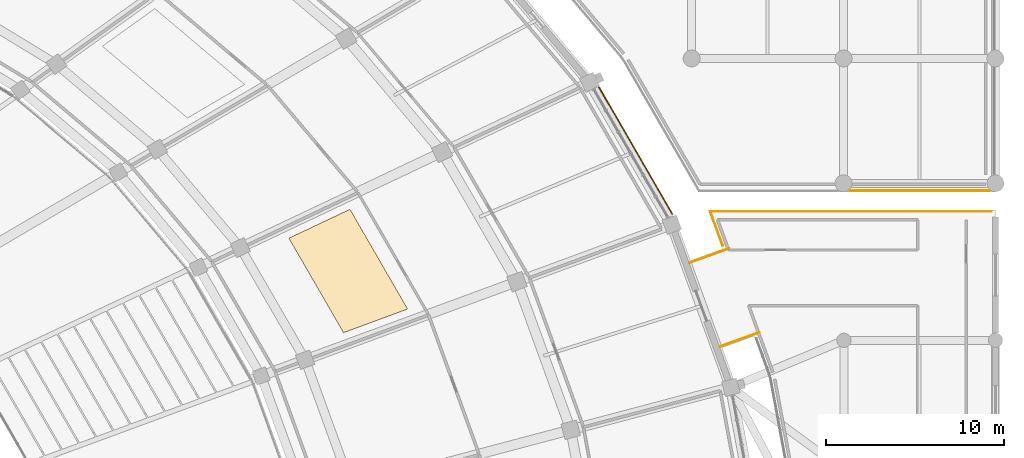
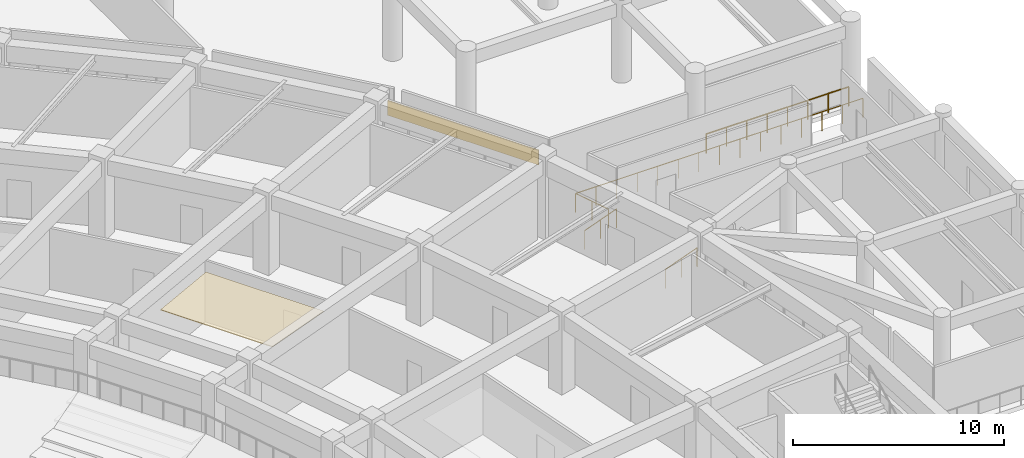
# One storey, part 142 of 152: 4 railings, 2 coverings.
"""IFC4 building model written with IfcOpenShell, lengths in metres."""

import ifcopenshell
import ifcopenshell.guid

model = None  # the IFC model being written
_history = None  # IfcOwnerHistory: only IFC2X3 demands one
_inside = {}  # id of a spatial element -> (the spatial element, [elements in it])
_under = {}  # id of a project, library or spatial element -> (it, [spatial elements below it])
_declared = {}  # id of a project -> (the project, [libraries it declares])
_typed = {}  # id of a type object -> (the type object, [elements of that type])
_made_of = {}  # id of a material, layer set ... -> (it, [elements and type objects made of it])


def new_model(schema):
    """Start an empty IFC model of exactly this schema.

    Asked for "IFC4X3", IfcOpenShell would pick the latest addendum, in which some entities
    have other attributes; the version numbers below select the first issue.
    IFC2X3 requires an IfcOwnerHistory on every rooted entity: one is made here for all.
    """
    global model, _history
    if schema == "IFC4X3":
        model = ifcopenshell.file(schema_version=(4, 3, 0, 0))
    else:
        model = ifcopenshell.file(schema=schema)
    _inside.clear()
    _under.clear()
    _declared.clear()
    _typed.clear()
    _made_of.clear()
    _history = None
    if model.schema == "IFC2X3":
        org = make("IfcOrganization", Name="unknown")
        user = make(
            "IfcPersonAndOrganization",
            ThePerson=make("IfcPerson", FamilyName="unknown"),
            TheOrganization=org,
        )
        app = make(
            "IfcApplication",
            ApplicationDeveloper=org,
            Version="unknown",
            ApplicationFullName="unknown",
            ApplicationIdentifier="unknown",
        )
        _history = make(
            "IfcOwnerHistory",
            OwningUser=user,
            OwningApplication=app,
            ChangeAction="ADDED",
            CreationDate=0,
        )
    return model


def make(cls, **values):
    """One entity of the class cls with the attributes given. An attribute that is None is left unset."""
    return model.create_entity(
        cls, **{name: value for name, value in values.items() if value is not None}
    )


def rooted(cls, **values):
    """An entity with a GlobalId (a new one), such as an element, a storey or a relation."""
    return make(cls, GlobalId=ifcopenshell.guid.new(), OwnerHistory=_history, **values)


def si_unit(unit_type, name, prefix=None):
    """IfcSIUnit, for example si_unit("LENGTHUNIT", "METRE", prefix="MILLI")."""
    return make("IfcSIUnit", UnitType=unit_type, Prefix=prefix, Name=name)


def assignment(units):
    """IfcUnitAssignment: the units of a project."""
    return None if units is None else make("IfcUnitAssignment", Units=units)


def point(xyz):
    """IfcCartesianPoint."""
    return None if xyz is None else make("IfcCartesianPoint", Coordinates=xyz)


def direction(xyz):
    """IfcDirection."""
    return None if xyz is None else make("IfcDirection", DirectionRatios=xyz)


def frame(location, z_axis=None, x_axis=None):
    """IfcAxis2Placement3D, a coordinate frame: its origin and axes. An axis left out is left unset."""
    return make(
        "IfcAxis2Placement3D",
        Location=point(location),
        Axis=direction(z_axis),
        RefDirection=direction(x_axis),
    )


def frame_2d(location, x_axis=None):
    """IfcAxis2Placement2D, a coordinate frame in the plane: its origin and x axis."""
    return make(
        "IfcAxis2Placement2D", Location=point(location), RefDirection=direction(x_axis)
    )


def origin():
    """The frame at (0, 0, 0) with its axes left unset."""
    return frame((0.0, 0.0, 0.0))


def origin_2d():
    """The frame at (0, 0) in the plane with its x axis left unset."""
    return frame_2d((0.0, 0.0))


def place(relative_to, where):
    """IfcLocalPlacement: puts the frame where relative to a parent placement (None: the world)."""
    return make(
        "IfcLocalPlacement", PlacementRelTo=relative_to, RelativePlacement=where
    )


def context(
    kind, dimensions, precision=None, world=None, true_north=None, identifier=None
):
    """IfcGeometricRepresentationContext, for example the 3D "Model" context."""
    return make(
        "IfcGeometricRepresentationContext",
        ContextIdentifier=identifier,
        ContextType=kind,
        CoordinateSpaceDimension=dimensions,
        Precision=precision,
        WorldCoordinateSystem=world,
        TrueNorth=true_north,
    )


def subcontext(parent, identifier, kind, view, scale=None):
    """IfcGeometricRepresentationSubContext, for example "Body" below "Model"."""
    return make(
        "IfcGeometricRepresentationSubContext",
        ContextIdentifier=identifier,
        ContextType=kind,
        ParentContext=parent,
        TargetScale=scale,
        TargetView=view,
    )


def project(units=None, contexts=None):
    """IfcProject with its units and contexts."""
    return rooted(
        "IfcProject",
        Name="project",
        RepresentationContexts=contexts,
        UnitsInContext=assignment(units),
    )


def spatial(cls, under=None, at=None, **own):
    """A site, building, storey or space (cls), placed at a placement, below another one or the project."""
    s = rooted(cls, ObjectPlacement=at, **own)
    if under is not None:
        _under.setdefault(under.id(), (under, []))[1].append(s)
    return s


def polyline(points):
    """IfcPolyline through the points."""
    return make("IfcPolyline", Points=[point(p) for p in points])


def profile(cls, at=None, kind="AREA", **sizes):
    """A parametric profile (cls). Its sizes go by their IFC names, for example OverallWidth=200.0."""
    return make(cls, ProfileType=kind, Position=at, **sizes)


def rectangle(**sizes):
    """IfcRectangleProfileDef."""
    return profile("IfcRectangleProfileDef", **sizes)


def circle(**sizes):
    """IfcCircleProfileDef."""
    return profile("IfcCircleProfileDef", **sizes)


def outline(outer, holes=None, kind="AREA"):
    """IfcArbitraryClosedProfileDef: a profile drawn as a closed curve; with holes, ...WithVoids."""
    if holes is None:
        return make("IfcArbitraryClosedProfileDef", ProfileType=kind, OuterCurve=outer)
    return make(
        "IfcArbitraryProfileDefWithVoids",
        ProfileType=kind,
        OuterCurve=outer,
        InnerCurves=holes,
    )


def extrude(swept, where, along, depth):
    """IfcExtrudedAreaSolid: the profile swept, set in the frame where, extruded along a direction by depth."""
    return make(
        "IfcExtrudedAreaSolid",
        SweptArea=swept,
        Position=where,
        ExtrudedDirection=direction(along),
        Depth=depth,
    )


def shape(context_of_items, identifier, shape_type, items):
    """IfcShapeRepresentation: the items that make up one representation, for example the "Body"."""
    return make(
        "IfcShapeRepresentation",
        ContextOfItems=context_of_items,
        RepresentationIdentifier=identifier,
        RepresentationType=shape_type,
        Items=items,
    )


def material(Name=None, Category=None):
    """IfcMaterial."""
    return make("IfcMaterial", Name=Name, Category=Category)


def layer(
    of_material, thickness, ventilated=None, Name=None, Category=None, Priority=None
):
    """IfcMaterialLayer: one layer of a wall or slab, of a material (None: an air gap)."""
    return make(
        "IfcMaterialLayer",
        Material=of_material,
        LayerThickness=thickness,
        IsVentilated=ventilated,
        Name=Name,
        Category=Category,
        Priority=Priority,
    )


def layer_set(layers, Name=None):
    """IfcMaterialLayerSet."""
    return make("IfcMaterialLayerSet", MaterialLayers=layers, LayerSetName=Name)


def made_of(thing, what):
    """Note that an element or type object is made of a material, layer set ...; save() writes the relation."""
    if what is not None:
        _made_of.setdefault(what.id(), (what, []))[1].append(thing)
    return thing


def type_object(cls, material=None, **own):
    """A type object (cls), such as IfcWallType, which elements share."""
    return made_of(rooted(cls, **own), material)


def element(
    cls,
    number,
    at=None,
    inside=None,
    cuts=None,
    type_object=None,
    material=None,
    context=None,
    identifier="Body",
    shape_type=None,
    held_by="IfcProductDefinitionShape",
    body=None,
    shapes=None,
    **own,
):
    """One element of the class cls, such as IfcWall. Its Tag is "e" and its number.

    at: its placement. inside: the storey or other place that contains it. cuts: it is an
    opening in that element (IfcRelVoidsElement). A single representation is given by context,
    identifier, shape_type and body (its items); several are given by shapes. held_by: the class
    of the entity that holds the representations. save() writes the other relations.
    """
    e = rooted(cls, Tag="e%d" % number, ObjectPlacement=at, **own)
    if body is not None:
        shapes = [shape(context, identifier, shape_type, body)]
    if shapes is not None:
        e.Representation = make(held_by, Representations=shapes)
    if inside is not None:
        _inside.setdefault(inside.id(), (inside, []))[1].append(e)
    if cuts is not None:
        rooted(
            "IfcRelVoidsElement", RelatingBuildingElement=cuts, RelatedOpeningElement=e
        )
    if type_object is not None:
        _typed.setdefault(type_object.id(), (type_object, []))[1].append(e)
    return made_of(e, material)


def aggregate(whole, parts):
    """IfcRelAggregates: a whole, such as a stair, and the parts it consists of."""
    return rooted("IfcRelAggregates", RelatingObject=whole, RelatedObjects=parts)


def save(model, path):
    """Write the relations noted so far, then the file.

    IfcRelAggregates (storeys below a building ...), IfcRelContainedInSpatialStructure (elements
    in a storey), IfcRelDefinesByType, IfcRelAssociatesMaterial and IfcRelDeclares: one each for
    every whole, place, type object, material and project.
    """
    for whole, parts in _under.values():
        aggregate(whole, parts)
    for where, things in _inside.values():
        rooted(
            "IfcRelContainedInSpatialStructure",
            RelatedElements=things,
            RelatingStructure=where,
        )
    for kind, things in _typed.values():
        rooted("IfcRelDefinesByType", RelatedObjects=things, RelatingType=kind)
    for what, things in _made_of.values():
        rooted("IfcRelAssociatesMaterial", RelatedObjects=things, RelatingMaterial=what)
    for by, libraries in _declared.values():
        rooted("IfcRelDeclares", RelatingContext=by, RelatedDefinitions=libraries)
    model.write(path)


model = new_model("IFC4")

# Units and contexts
model_context = context("Model", 3, precision=1e-05, world=origin(), true_north=direction((0.0, 1.0)))
body_context = subcontext(model_context, "Body", "Model", "MODEL_VIEW")
ifc_project = project(units=[si_unit("LENGTHUNIT", "METRE"), si_unit("AREAUNIT", "SQUARE_METRE"), si_unit("VOLUMEUNIT", "CUBIC_METRE"), si_unit("PLANEANGLEUNIT", "RADIAN"), si_unit("MASSUNIT", "GRAM", prefix="KILO")], contexts=[model_context])

# Site, building, storey
site_placement = place(None, origin())
site = spatial("IfcSite", under=ifc_project, at=site_placement, CompositionType="ELEMENT")
building_placement = place(site_placement, origin())
building = spatial("IfcBuilding", under=site, at=building_placement, Name="Mphavela Belvedere Stadium", CompositionType="ELEMENT")
storey_placement = place(building_placement, frame((0.0, 0.0, 5.39990234375)))
storey = spatial("IfcBuildingStorey", under=building, at=storey_placement, Name="L01", CompositionType="ELEMENT", Elevation=5.39990234375)

# Coverings
ifc_material_1 = material(Name="Perforated acoustic mineral ceiling tile")
ifc_layer_1 = layer(ifc_material_1, 0.0400390625)
ifc_layer_set_1 = layer_set([ifc_layer_1], Name="Perforated acoustic mineral ceiling tile")
covering_type_1 = type_object("IfcCoveringType", Name="COV-CEILING-ACOUSTIC", PredefinedType="CEILING", material=ifc_layer_set_1)
covering_1_placement = place(storey_placement, frame((0.0, 0.0, 3.5)))
element("IfcCovering", 1, at=covering_1_placement, inside=storey, type_object=covering_type_1, Name="Concourse acoustic ceiling L01-04", PredefinedType="CEILING", context=body_context, shape_type="SweptSolid", body=[
    extrude(outline(polyline([(193.44775390625, 116.62548828125), (190.385498046875, 121.92138671875), (193.810791015625, 123.542724609375), (197.044189453125, 117.950439453125), (193.44775390625, 116.62548828125)])), origin(), (0.0, 0.0, 1.0), 0.0400390625),
])
ifc_material_2 = material(Name="Carved classical limestone entablature frieze cladding", Category="masonry")
ifc_layer_2 = layer(ifc_material_2, 0.06005859375)
ifc_layer_set_2 = layer_set([ifc_layer_2], Name="Carved classical limestone entablature frieze cladding")
covering_type_2 = type_object("IfcCoveringType", Name="COV-FRIEZE-CLAD", PredefinedType="CLADDING", material=ifc_layer_set_2)
covering_2_placement = place(storey_placement, frame((209.826416015625, 126.83203125, 3.594970703125), z_axis=(0.0, 0.0, 1.0), x_axis=(-0.500604477892, 0.865676126917, 0.0)))
element("IfcCovering", 2, at=covering_2_placement, inside=storey, type_object=covering_type_2, Name="Classical entablature frieze cladding L01-04", PredefinedType="CLADDING", context=body_context, shape_type="SweptSolid", body=[
    extrude(rectangle(XDim=8.27099609375, YDim=0.06005859375, at=origin_2d()), origin(), (0.0, 0.0, 1.0), 0.85009765625),
])

# Railings
ifc_material_3 = material(Name="Bronze and laminated glass stadium balustrade", Category="glass")
railing_type = type_object("IfcRailingType", Name="RAL-BALUSTRADE-1120", PredefinedType="BALUSTRADE", material=ifc_material_3)
railing_1_placement = place(storey_placement, frame((214.55078125, 115.840576171875, 0.0)))
element("IfcRailing", 3, at=railing_1_placement, inside=storey, type_object=railing_type, Name="Colonnade link bridge balustrade L01-03A", PredefinedType="BALUSTRADE", context=body_context, shape_type="SweptSolid", body=[
    extrude(circle(Radius=0.02392578125, at=origin_2d()), frame((0.0, 0.0, 1.09619140625), z_axis=(0.940078218368, 0.340958858734, 0.0), x_axis=(-0.340958858734, 0.940078218368, 0.0)), (0.0, 0.0, 1.0), 2.35009765625),
    extrude(circle(Radius=0.02099609375, at=origin_2d()), origin(), (0.0, 0.0, 1.0), 1.072021484375),
    extrude(circle(Radius=0.02099609375, at=origin_2d()), frame((1.1044921875, 0.400634765625, 0.0)), (0.0, 0.0, 1.0), 1.072021484375),
    extrude(circle(Radius=0.02099609375, at=origin_2d()), frame((2.209228515625, 0.80126953125, 0.0)), (0.0, 0.0, 1.0), 1.072021484375),
])
railing_2_placement = place(storey_placement, frame((212.845703125, 120.540771484375, 0.0)))
element("IfcRailing", 4, at=railing_2_placement, inside=storey, type_object=railing_type, Name="Colonnade link bridge balustrade L01-03B", PredefinedType="BALUSTRADE", context=body_context, shape_type="SweptSolid", body=[
    extrude(circle(Radius=0.02392578125, at=origin_2d()), frame((0.0, 0.0, 1.09619140625), z_axis=(0.940044916205, 0.341050664151, 0.0), x_axis=(-0.341050664151, 0.940044916205, 0.0)), (0.0, 0.0, 1.0), 2.35009765625),
    extrude(circle(Radius=0.02099609375, at=origin_2d()), origin(), (0.0, 0.0, 1.0), 1.072021484375),
    extrude(circle(Radius=0.02099609375, at=origin_2d()), frame((1.1044921875, 0.40087890625, 0.0)), (0.0, 0.0, 1.0), 1.072021484375),
    extrude(circle(Radius=0.02099609375, at=origin_2d()), frame((2.209228515625, 0.801513671875, 0.0)), (0.0, 0.0, 1.0), 1.072021484375),
])
railing_3_placement = place(storey_placement, frame((229.6455078125, 124.580078125, 0.0)))
element("IfcRailing", 5, at=railing_3_placement, inside=storey, type_object=railing_type, Name="Peristyle wing gallery edge balustrade L01-52", PredefinedType="BALUSTRADE", context=body_context, shape_type="SweptSolid", body=[
    extrude(circle(Radius=0.02392578125, at=origin_2d()), frame((0.0, 0.0, 1.09619140625), z_axis=(-1.0, 0.0, 0.0), x_axis=(0.0, -1.0, 0.0)), (0.0, 0.0, 1.0), 7.809814453125),
    extrude(circle(Radius=0.02099609375, at=origin_2d()), origin(), (0.0, 0.0, 1.0), 1.072021484375),
    extrude(circle(Radius=0.02099609375, at=origin_2d()), frame((-1.11572265625, 0.0, 0.0)), (0.0, 0.0, 1.0), 1.072021484375),
    extrude(circle(Radius=0.02099609375, at=origin_2d()), frame((-2.2314453125, 0.0, 0.0)), (0.0, 0.0, 1.0), 1.072021484375),
    extrude(circle(Radius=0.02099609375, at=origin_2d()), frame((-3.34716796875, 0.0, 0.0)), (0.0, 0.0, 1.0), 1.072021484375),
    extrude(circle(Radius=0.02099609375, at=origin_2d()), frame((-4.462646484375, 0.0, 0.0)), (0.0, 0.0, 1.0), 1.072021484375),
    extrude(circle(Radius=0.02099609375, at=origin_2d()), frame((-5.578369140625, 0.0, 0.0)), (0.0, 0.0, 1.0), 1.072021484375),
    extrude(circle(Radius=0.02099609375, at=origin_2d()), frame((-6.694091796875, 0.0, 0.0)), (0.0, 0.0, 1.0), 1.072021484375),
    extrude(circle(Radius=0.02099609375, at=origin_2d()), frame((-7.809814453125, 0.0, 0.0)), (0.0, 0.0, 1.0), 1.072021484375),
])
railing_4_placement = place(storey_placement, frame((214.705322265625, 121.51318359375, 0.0)))
element("IfcRailing", 6, at=railing_4_placement, inside=storey, type_object=railing_type, Name="Peristyle wing gallery edge balustrade L01-63", PredefinedType="BALUSTRADE", context=body_context, shape_type="SweptSolid", body=[
    extrude(circle(Radius=0.02392578125, at=origin_2d()), frame((0.0, 0.0, 1.09619140625), z_axis=(-0.342380499121, 0.939561383743, 0.0), x_axis=(-0.939561383743, -0.342380499121, 0.0)), (0.0, 0.0, 1.0), 2.029296875),
    extrude(circle(Radius=0.02392578125, at=origin_2d()), frame((-0.69482421875, 1.90673828125, 1.09619140625), z_axis=(1.0, 0.0, 0.0), x_axis=(0.0, 1.0, 0.0)), (0.0, 0.0, 1.0), 15.756103515625),
    extrude(circle(Radius=0.02099609375, at=origin_2d()), origin(), (0.0, 0.0, 1.0), 1.072021484375),
    extrude(circle(Radius=0.02099609375, at=origin_2d()), frame((-0.347412109375, 0.953369140625, 0.0)), (0.0, 0.0, 1.0), 1.072021484375),
    extrude(circle(Radius=0.02099609375, at=origin_2d()), frame((-0.69482421875, 1.90673828125, 0.0)), (0.0, 0.0, 1.0), 1.072021484375),
    extrude(circle(Radius=0.02099609375, at=origin_2d()), frame((0.4306640625, 1.90673828125, 0.0)), (0.0, 0.0, 1.0), 1.072021484375),
    extrude(circle(Radius=0.02099609375, at=origin_2d()), frame((1.55615234375, 1.90673828125, 0.0)), (0.0, 0.0, 1.0), 1.072021484375),
    extrude(circle(Radius=0.02099609375, at=origin_2d()), frame((2.681396484375, 1.90673828125, 0.0)), (0.0, 0.0, 1.0), 1.072021484375),
    extrude(circle(Radius=0.02099609375, at=origin_2d()), frame((3.806884765625, 1.90673828125, 0.0)), (0.0, 0.0, 1.0), 1.072021484375),
    extrude(circle(Radius=0.02099609375, at=origin_2d()), frame((4.932373046875, 1.90673828125, 0.0)), (0.0, 0.0, 1.0), 1.072021484375),
    extrude(circle(Radius=0.02099609375, at=origin_2d()), frame((6.057861328125, 1.90673828125, 0.0)), (0.0, 0.0, 1.0), 1.072021484375),
    extrude(circle(Radius=0.02099609375, at=origin_2d()), frame((7.18310546875, 1.90673828125, 0.0)), (0.0, 0.0, 1.0), 1.072021484375),
    extrude(circle(Radius=0.02099609375, at=origin_2d()), frame((8.30859375, 1.90673828125, 0.0)), (0.0, 0.0, 1.0), 1.072021484375),
    extrude(circle(Radius=0.02099609375, at=origin_2d()), frame((9.43408203125, 1.90673828125, 0.0)), (0.0, 0.0, 1.0), 1.072021484375),
    extrude(circle(Radius=0.02099609375, at=origin_2d()), frame((10.5595703125, 1.90673828125, 0.0)), (0.0, 0.0, 1.0), 1.072021484375),
    extrude(circle(Radius=0.02099609375, at=origin_2d()), frame((11.68505859375, 1.90673828125, 0.0)), (0.0, 0.0, 1.0), 1.072021484375),
    extrude(circle(Radius=0.02099609375, at=origin_2d()), frame((12.810302734375, 1.90673828125, 0.0)), (0.0, 0.0, 1.0), 1.072021484375),
    extrude(circle(Radius=0.02099609375, at=origin_2d()), frame((13.935791015625, 1.90673828125, 0.0)), (0.0, 0.0, 1.0), 1.072021484375),
    extrude(circle(Radius=0.02099609375, at=origin_2d()), frame((15.061279296875, 1.90673828125, 0.0)), (0.0, 0.0, 1.0), 1.072021484375),
])

save(model, "model.ifc")
